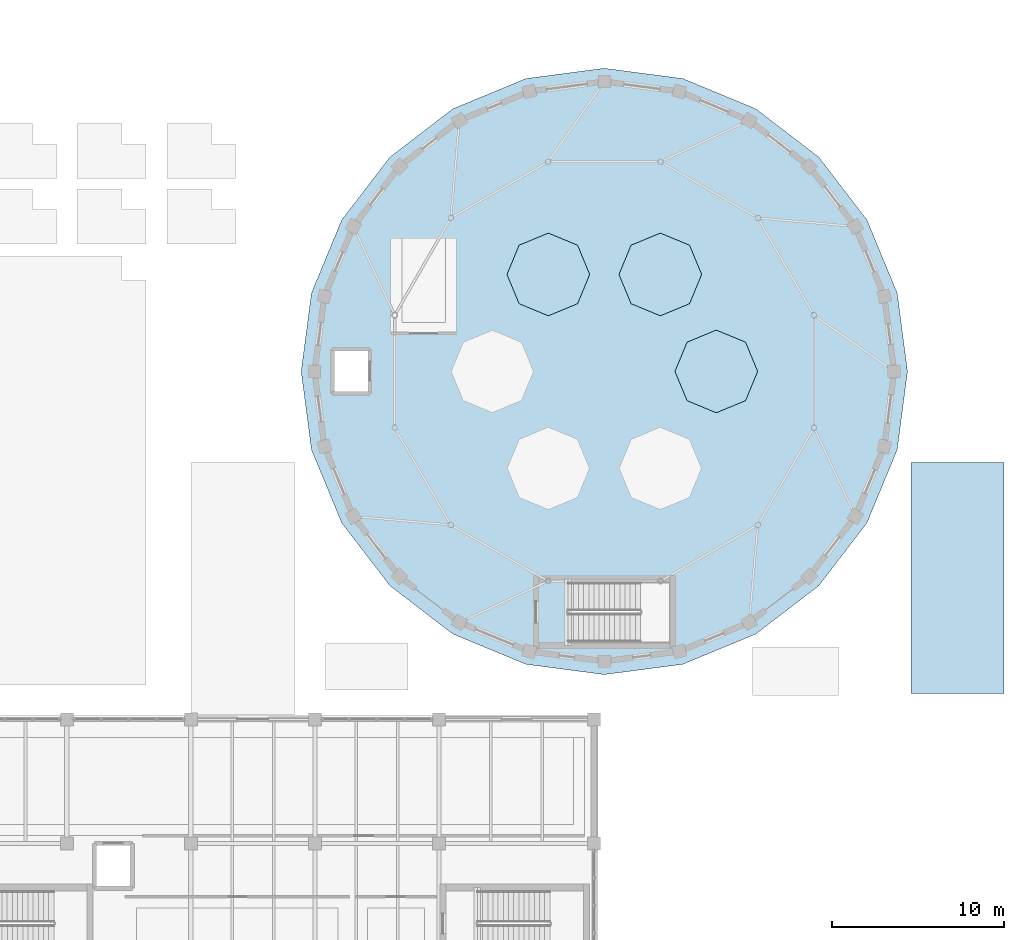
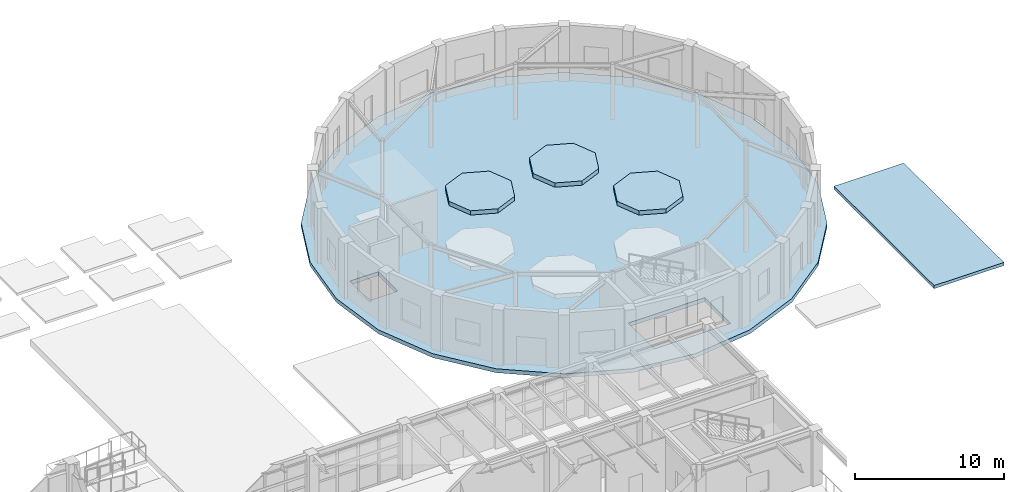
# One storey, part 22 of 39: 5 slabs.
"""IFC4 building model written with IfcOpenShell, lengths in metres."""

import ifcopenshell
import ifcopenshell.guid

model = None  # the IFC model being written
_history = None  # IfcOwnerHistory: only IFC2X3 demands one
_inside = {}  # id of a spatial element -> (the spatial element, [elements in it])
_under = {}  # id of a project, library or spatial element -> (it, [spatial elements below it])
_declared = {}  # id of a project -> (the project, [libraries it declares])
_typed = {}  # id of a type object -> (the type object, [elements of that type])
_made_of = {}  # id of a material, layer set ... -> (it, [elements and type objects made of it])


def new_model(schema):
    """Start an empty IFC model of exactly this schema.

    Asked for "IFC4X3", IfcOpenShell would pick the latest addendum, in which some entities
    have other attributes; the version numbers below select the first issue.
    IFC2X3 requires an IfcOwnerHistory on every rooted entity: one is made here for all.
    """
    global model, _history
    if schema == "IFC4X3":
        model = ifcopenshell.file(schema_version=(4, 3, 0, 0))
    else:
        model = ifcopenshell.file(schema=schema)
    _inside.clear()
    _under.clear()
    _declared.clear()
    _typed.clear()
    _made_of.clear()
    _history = None
    if model.schema == "IFC2X3":
        org = make("IfcOrganization", Name="unknown")
        user = make(
            "IfcPersonAndOrganization",
            ThePerson=make("IfcPerson", FamilyName="unknown"),
            TheOrganization=org,
        )
        app = make(
            "IfcApplication",
            ApplicationDeveloper=org,
            Version="unknown",
            ApplicationFullName="unknown",
            ApplicationIdentifier="unknown",
        )
        _history = make(
            "IfcOwnerHistory",
            OwningUser=user,
            OwningApplication=app,
            ChangeAction="ADDED",
            CreationDate=0,
        )
    return model


def make(cls, **values):
    """One entity of the class cls with the attributes given. An attribute that is None is left unset."""
    return model.create_entity(
        cls, **{name: value for name, value in values.items() if value is not None}
    )


def rooted(cls, **values):
    """An entity with a GlobalId (a new one), such as an element, a storey or a relation."""
    return make(cls, GlobalId=ifcopenshell.guid.new(), OwnerHistory=_history, **values)


def si_unit(unit_type, name, prefix=None):
    """IfcSIUnit, for example si_unit("LENGTHUNIT", "METRE", prefix="MILLI")."""
    return make("IfcSIUnit", UnitType=unit_type, Prefix=prefix, Name=name)


def assignment(units):
    """IfcUnitAssignment: the units of a project."""
    return None if units is None else make("IfcUnitAssignment", Units=units)


def point(xyz):
    """IfcCartesianPoint."""
    return None if xyz is None else make("IfcCartesianPoint", Coordinates=xyz)


def direction(xyz):
    """IfcDirection."""
    return None if xyz is None else make("IfcDirection", DirectionRatios=xyz)


def frame(location, z_axis=None, x_axis=None):
    """IfcAxis2Placement3D, a coordinate frame: its origin and axes. An axis left out is left unset."""
    return make(
        "IfcAxis2Placement3D",
        Location=point(location),
        Axis=direction(z_axis),
        RefDirection=direction(x_axis),
    )


def origin():
    """The frame at (0, 0, 0) with its axes left unset."""
    return frame((0.0, 0.0, 0.0))


def place(relative_to, where):
    """IfcLocalPlacement: puts the frame where relative to a parent placement (None: the world)."""
    return make(
        "IfcLocalPlacement", PlacementRelTo=relative_to, RelativePlacement=where
    )


def context(
    kind, dimensions, precision=None, world=None, true_north=None, identifier=None
):
    """IfcGeometricRepresentationContext, for example the 3D "Model" context."""
    return make(
        "IfcGeometricRepresentationContext",
        ContextIdentifier=identifier,
        ContextType=kind,
        CoordinateSpaceDimension=dimensions,
        Precision=precision,
        WorldCoordinateSystem=world,
        TrueNorth=true_north,
    )


def subcontext(parent, identifier, kind, view, scale=None):
    """IfcGeometricRepresentationSubContext, for example "Body" below "Model"."""
    return make(
        "IfcGeometricRepresentationSubContext",
        ContextIdentifier=identifier,
        ContextType=kind,
        ParentContext=parent,
        TargetScale=scale,
        TargetView=view,
    )


def project(units=None, contexts=None):
    """IfcProject with its units and contexts."""
    return rooted(
        "IfcProject",
        Name="project",
        RepresentationContexts=contexts,
        UnitsInContext=assignment(units),
    )


def spatial(cls, under=None, at=None, **own):
    """A site, building, storey or space (cls), placed at a placement, below another one or the project."""
    s = rooted(cls, ObjectPlacement=at, **own)
    if under is not None:
        _under.setdefault(under.id(), (under, []))[1].append(s)
    return s


def polyline(points):
    """IfcPolyline through the points."""
    return make("IfcPolyline", Points=[point(p) for p in points])


def outline(outer, holes=None, kind="AREA"):
    """IfcArbitraryClosedProfileDef: a profile drawn as a closed curve; with holes, ...WithVoids."""
    if holes is None:
        return make("IfcArbitraryClosedProfileDef", ProfileType=kind, OuterCurve=outer)
    return make(
        "IfcArbitraryProfileDefWithVoids",
        ProfileType=kind,
        OuterCurve=outer,
        InnerCurves=holes,
    )


def extrude(swept, where, along, depth):
    """IfcExtrudedAreaSolid: the profile swept, set in the frame where, extruded along a direction by depth."""
    return make(
        "IfcExtrudedAreaSolid",
        SweptArea=swept,
        Position=where,
        ExtrudedDirection=direction(along),
        Depth=depth,
    )


def shape(context_of_items, identifier, shape_type, items):
    """IfcShapeRepresentation: the items that make up one representation, for example the "Body"."""
    return make(
        "IfcShapeRepresentation",
        ContextOfItems=context_of_items,
        RepresentationIdentifier=identifier,
        RepresentationType=shape_type,
        Items=items,
    )


def material(Name=None, Category=None):
    """IfcMaterial."""
    return make("IfcMaterial", Name=Name, Category=Category)


def layer(
    of_material, thickness, ventilated=None, Name=None, Category=None, Priority=None
):
    """IfcMaterialLayer: one layer of a wall or slab, of a material (None: an air gap)."""
    return make(
        "IfcMaterialLayer",
        Material=of_material,
        LayerThickness=thickness,
        IsVentilated=ventilated,
        Name=Name,
        Category=Category,
        Priority=Priority,
    )


def layer_set(layers, Name=None):
    """IfcMaterialLayerSet."""
    return make("IfcMaterialLayerSet", MaterialLayers=layers, LayerSetName=Name)


def made_of(thing, what):
    """Note that an element or type object is made of a material, layer set ...; save() writes the relation."""
    if what is not None:
        _made_of.setdefault(what.id(), (what, []))[1].append(thing)
    return thing


def type_object(cls, material=None, **own):
    """A type object (cls), such as IfcWallType, which elements share."""
    return made_of(rooted(cls, **own), material)


def element(
    cls,
    number,
    at=None,
    inside=None,
    cuts=None,
    type_object=None,
    material=None,
    context=None,
    identifier="Body",
    shape_type=None,
    held_by="IfcProductDefinitionShape",
    body=None,
    shapes=None,
    **own,
):
    """One element of the class cls, such as IfcWall. Its Tag is "e" and its number.

    at: its placement. inside: the storey or other place that contains it. cuts: it is an
    opening in that element (IfcRelVoidsElement). A single representation is given by context,
    identifier, shape_type and body (its items); several are given by shapes. held_by: the class
    of the entity that holds the representations. save() writes the other relations.
    """
    e = rooted(cls, Tag="e%d" % number, ObjectPlacement=at, **own)
    if body is not None:
        shapes = [shape(context, identifier, shape_type, body)]
    if shapes is not None:
        e.Representation = make(held_by, Representations=shapes)
    if inside is not None:
        _inside.setdefault(inside.id(), (inside, []))[1].append(e)
    if cuts is not None:
        rooted(
            "IfcRelVoidsElement", RelatingBuildingElement=cuts, RelatedOpeningElement=e
        )
    if type_object is not None:
        _typed.setdefault(type_object.id(), (type_object, []))[1].append(e)
    return made_of(e, material)


def aggregate(whole, parts):
    """IfcRelAggregates: a whole, such as a stair, and the parts it consists of."""
    return rooted("IfcRelAggregates", RelatingObject=whole, RelatedObjects=parts)


def save(model, path):
    """Write the relations noted so far, then the file.

    IfcRelAggregates (storeys below a building ...), IfcRelContainedInSpatialStructure (elements
    in a storey), IfcRelDefinesByType, IfcRelAssociatesMaterial and IfcRelDeclares: one each for
    every whole, place, type object, material and project.
    """
    for whole, parts in _under.values():
        aggregate(whole, parts)
    for where, things in _inside.values():
        rooted(
            "IfcRelContainedInSpatialStructure",
            RelatedElements=things,
            RelatingStructure=where,
        )
    for kind, things in _typed.values():
        rooted("IfcRelDefinesByType", RelatedObjects=things, RelatingType=kind)
    for what, things in _made_of.values():
        rooted("IfcRelAssociatesMaterial", RelatedObjects=things, RelatingMaterial=what)
    for by, libraries in _declared.values():
        rooted("IfcRelDeclares", RelatingContext=by, RelatedDefinitions=libraries)
    model.write(path)


model = new_model("IFC4")

# Units and contexts
model_context = context("Model", 3, precision=1e-05, world=origin(), true_north=direction((0.0, 1.0)))
body_context = subcontext(model_context, "Body", "Model", "MODEL_VIEW")
ifc_project = project(units=[si_unit("LENGTHUNIT", "METRE"), si_unit("AREAUNIT", "SQUARE_METRE"), si_unit("VOLUMEUNIT", "CUBIC_METRE"), si_unit("PLANEANGLEUNIT", "RADIAN"), si_unit("MASSUNIT", "GRAM", prefix="KILO")], contexts=[model_context])

# Site, building, storey
site_placement = place(None, origin())
site = spatial("IfcSite", under=ifc_project, at=site_placement, CompositionType="ELEMENT")
building_placement = place(site_placement, origin())
building = spatial("IfcBuilding", under=site, at=building_placement, Name="Kandorven Conservatory and Botanical Research Centre", CompositionType="ELEMENT")
storey_placement = place(building_placement, origin())
storey = spatial("IfcBuildingStorey", under=building, at=storey_placement, Name="L00", CompositionType="ELEMENT", Elevation=0.0)

# Slabs
ifc_material_1 = material(Name="Concrete C32/40 (M40)", Category="concrete")
ifc_layer_1 = layer(ifc_material_1, 0.320068359375)
ifc_layer_set_1 = layer_set([ifc_layer_1], Name="Concrete C32/40 (M40)")
slab_type_1 = type_object("IfcSlabType", Name="Slab_SL-02", PredefinedType="FLOOR", material=ifc_layer_set_1)
slab_1_placement = place(storey_placement, frame((0.0, 0.0, -0.320068359375)))
element("IfcSlab", 1, at=slab_1_placement, inside=storey, type_object=slab_type_1, Name="Conservatory L00 ground floor and planting bed slab", PredefinedType="FLOOR", context=body_context, shape_type="SweptSolid", body=[
    extrude(outline(polyline([(105.199951171875, 47.800048828125), (104.600341796875, 52.355224609375), (102.842041015625, 56.60009765625), (100.045166015625, 60.2451171875), (96.39990234375, 63.0419921875), (92.1552734375, 64.80029296875), (87.60009765625, 65.39990234375), (83.044921875, 64.80029296875), (78.800048828125, 63.0419921875), (75.15478515625, 60.2451171875), (72.35791015625, 56.60009765625), (70.599609375, 52.355224609375), (70.0, 47.800048828125), (70.599609375, 43.244873046875), (72.35791015625, 39.0), (75.15478515625, 35.35498046875), (78.800048828125, 32.55810546875), (83.044921875, 30.7998046875), (87.60009765625, 30.199951171875), (92.1552734375, 30.7998046875), (96.39990234375, 32.55810546875), (100.045166015625, 35.35498046875), (102.842041015625, 39.0), (104.600341796875, 43.244873046875), (105.199951171875, 47.800048828125)]), holes=[polyline([(85.5, 32.10009765625), (91.39990234375, 32.10009765625), (91.39990234375, 35.550048828125), (85.5, 35.550048828125), (85.5, 32.10009765625)]), polyline([(71.800048828125, 46.5), (74.0, 46.5), (74.0, 49.10009765625), (71.800048828125, 49.10009765625), (71.800048828125, 46.5)])]), origin(), (0.0, 0.0, 1.0), 0.320068359375),
])
ifc_material_2 = material(Name="Concrete C32/40 (M40)", Category="concrete")
ifc_layer_2 = layer(ifc_material_2, 0.25)
ifc_layer_set_2 = layer_set([ifc_layer_2], Name="Concrete C32/40 (M40)")
slab_type_2 = type_object("IfcSlabType", Name="Slab_SL-06", PredefinedType="FLOOR", material=ifc_layer_set_2)
slab_2_placement = place(storey_placement, frame((0.0, 0.0, -0.25)))
element("IfcSlab", 2, at=slab_2_placement, inside=storey, type_object=slab_type_2, Name="South-east conservatory forecourt", PredefinedType="FLOOR", context=body_context, shape_type="SweptSolid", body=[
    extrude(outline(polyline([(105.39990234375, 29.10009765625), (110.800048828125, 29.10009765625), (110.800048828125, 42.5), (105.39990234375, 42.5), (105.39990234375, 29.10009765625)])), origin(), (0.0, 0.0, 1.0), 0.25),
])
ifc_material_3 = material(Name="Concrete C32/40 (M40)", Category="concrete")
ifc_layer_3 = layer(ifc_material_3, 0.14990234375)
ifc_layer_set_3 = layer_set([ifc_layer_3], Name="Concrete C32/40 (M40)")
slab_type_3 = type_object("IfcSlabType", Name="Slab_SL-15", PredefinedType="FLOOR", material=ifc_layer_set_3)
slab_3_placement = place(storey_placement, origin())
element("IfcSlab", 3, at=slab_3_placement, inside=storey, type_object=slab_type_3, Name="Conservatory octagonal botanical planting bed plinth 1", PredefinedType="FLOOR", context=body_context, shape_type="SweptSolid", body=[
    extrude(outline(polyline([(96.5, 47.800048828125), (95.797119140625, 49.4970703125), (94.10009765625, 50.199951171875), (92.40283203125, 49.4970703125), (91.699951171875, 47.800048828125), (92.40283203125, 46.102783203125), (94.10009765625, 45.39990234375), (95.797119140625, 46.102783203125), (96.5, 47.800048828125)])), origin(), (0.0, 0.0, 1.0), 0.35009765625),
])
slab_4_placement = place(storey_placement, origin())
element("IfcSlab", 4, at=slab_4_placement, inside=storey, type_object=slab_type_3, Name="Conservatory octagonal botanical planting bed plinth 2", PredefinedType="FLOOR", context=body_context, shape_type="SweptSolid", body=[
    extrude(outline(polyline([(93.25, 53.42919921875), (92.547119140625, 55.126220703125), (90.85009765625, 55.8291015625), (89.15283203125, 55.126220703125), (88.449951171875, 53.42919921875), (89.15283203125, 51.732177734375), (90.85009765625, 51.029296875), (92.547119140625, 51.732177734375), (93.25, 53.42919921875)])), origin(), (0.0, 0.0, 1.0), 0.35009765625),
])
slab_5_placement = place(storey_placement, origin())
element("IfcSlab", 5, at=slab_5_placement, inside=storey, type_object=slab_type_3, Name="Conservatory octagonal botanical planting bed plinth 3", PredefinedType="FLOOR", context=body_context, shape_type="SweptSolid", body=[
    extrude(outline(polyline([(86.75, 53.42919921875), (86.047119140625, 55.126220703125), (84.35009765625, 55.8291015625), (82.65283203125, 55.126220703125), (81.949951171875, 53.42919921875), (82.65283203125, 51.732177734375), (84.35009765625, 51.029296875), (86.047119140625, 51.732177734375), (86.75, 53.42919921875)])), origin(), (0.0, 0.0, 1.0), 0.35009765625),
])

save(model, "model.ifc")
